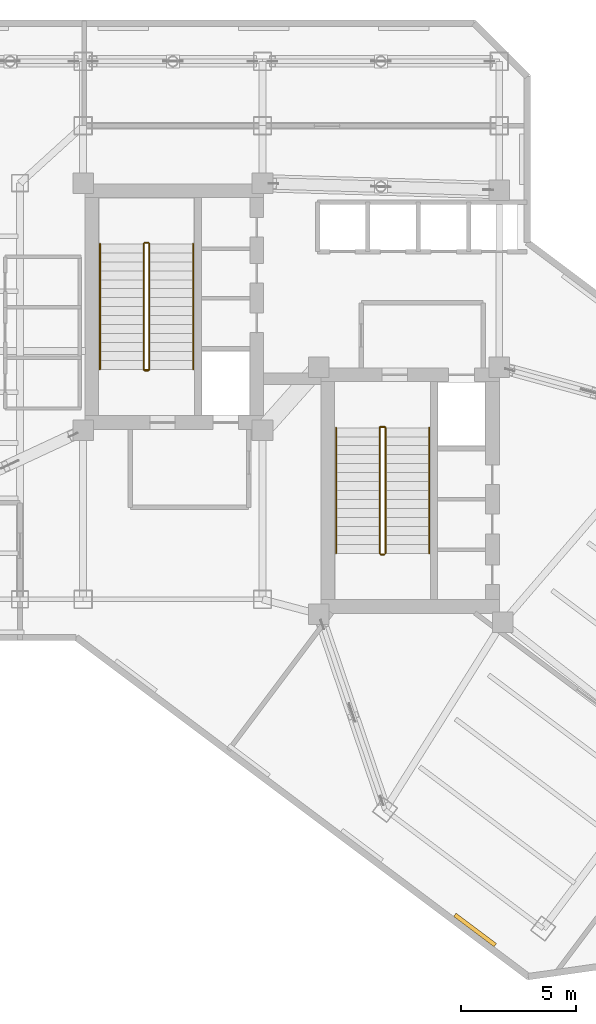
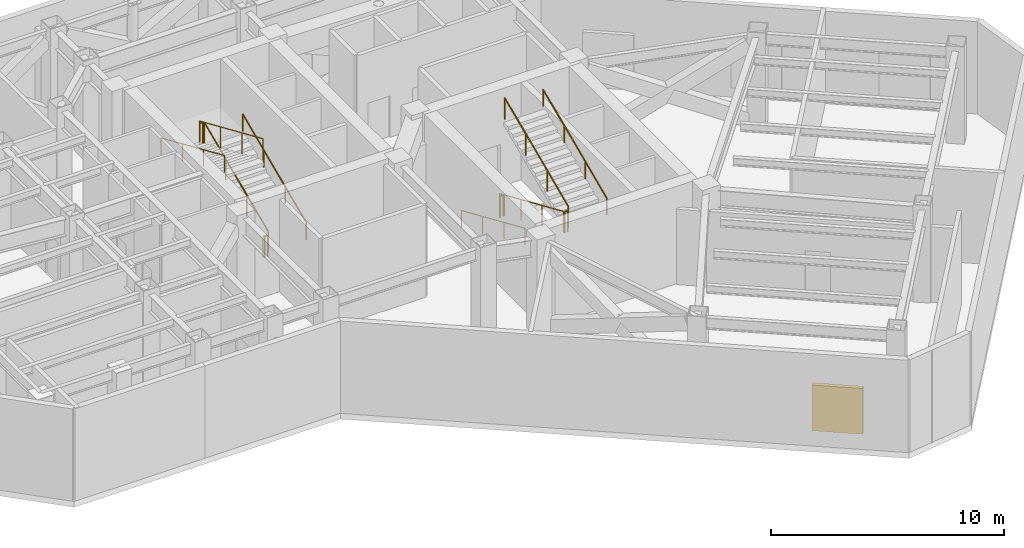
# One storey, part 11 of 12: 14 railings, 1 shading device.
"""IFC4 building model written with IfcOpenShell, lengths in metres."""

from ifc_helpers import new_model, si_unit, direction, frame, origin, origin_2d, place, context, subcontext, project, spatial, rectangle, circle, extrude, material, layer, layer_set, type_object, element, save


model = new_model("IFC4")

# Units and contexts
model_context = context("Model", 3, precision=1e-05, world=origin(), true_north=direction((0.0, 1.0)))
body_context = subcontext(model_context, "Body", "Model", "MODEL_VIEW")
ifc_project = project(units=[si_unit("LENGTHUNIT", "METRE"), si_unit("AREAUNIT", "SQUARE_METRE"), si_unit("VOLUMEUNIT", "CUBIC_METRE"), si_unit("PLANEANGLEUNIT", "RADIAN"), si_unit("MASSUNIT", "GRAM", prefix="KILO")], contexts=[model_context])

# Site, building, storey
site_placement = place(None, origin())
site = spatial("IfcSite", under=ifc_project, at=site_placement, CompositionType="ELEMENT")
building_placement = place(site_placement, origin())
building = spatial("IfcBuilding", under=site, at=building_placement, Name="Hatsunagi Terrace Concourse", CompositionType="ELEMENT")
storey_placement = place(building_placement, frame((0.0, 0.0, 181.64990234375)))
storey = spatial("IfcBuildingStorey", under=building, at=storey_placement, Name="L48", CompositionType="ELEMENT", Elevation=181.64990234375)

# Shading device
ifc_material_1 = material(Name="Powder-Coated Aluminium Acoustic Louvre", Category="aluminium")
ifc_layer_1 = layer(ifc_material_1, 0.179931640625)
ifc_layer_set_1 = layer_set([ifc_layer_1], Name="PlantAcousticLouvre_180")
shading_device_type = type_object("IfcShadingDeviceType", Name="PlantAcousticLouvre_180", PredefinedType="JALOUSIE", material=ifc_layer_set_1)
shading_device_placement = place(storey_placement, frame((42.596923828125, 10.81494140625, 0.60009765625), z_axis=(0.0, 0.0, 1.0), x_axis=(-0.800005211305, 0.599993051531, 0.0)))
element("IfcShadingDevice", 1, at=shading_device_placement, inside=storey, type_object=shading_device_type, Name="Plant Acoustic Louvre L48-05-1", PredefinedType="JALOUSIE", context=body_context, shape_type="SweptSolid", body=[
    extrude(rectangle(XDim=2.199951171875, YDim=0.179931640625, at=origin_2d()), origin(), (0.0, 0.0, 1.0), 2.39990234375),
])

# Railings
ifc_material_2 = material(Name="Stainless steel", Category="steel")
ifc_layer_2 = layer(ifc_material_2, 0.044921875)
ifc_layer_set_2 = layer_set([ifc_layer_2], Name="StairPitchHandrail_Tower2000")
railing_type_1 = type_object("IfcRailingType", Name="StairPitchHandrail_Tower2000", PredefinedType="HANDRAIL", material=ifc_layer_set_2)
railing_1_placement = place(storey_placement, frame((30.330078125, 35.199951171875, 0.170166015625)))
element("IfcRailing", 2, at=railing_1_placement, inside=storey, type_object=railing_type_1, Name="L48 ST-A stair handrail 1", PredefinedType="HANDRAIL", context=body_context, shape_type="SweptSolid", body=[
    extrude(circle(Radius=0.02392578125, at=origin_2d()), frame((0.0, 0.0, 0.8759765625), z_axis=(0.0, 0.916702124435, 0.39957128908), x_axis=(-1.0, 0.0, 0.0)), (0.0, 0.0, 1.0), 5.9560546875),
    extrude(circle(Radius=0.02099609375, at=origin_2d()), origin(), (0.0, 0.0, 1.0), 0.851806640625),
    extrude(circle(Radius=0.02099609375, at=origin_2d()), frame((0.0, 1.820068359375, 0.793212890625)), (0.0, 0.0, 1.0), 0.851806640625),
    extrude(circle(Radius=0.02099609375, at=origin_2d()), frame((0.0, 3.639892578125, 1.586669921875)), (0.0, 0.0, 1.0), 0.851806640625),
    extrude(circle(Radius=0.02099609375, at=origin_2d()), frame((0.0, 5.4599609375, 2.3798828125)), (0.0, 0.0, 1.0), 0.851806640625),
])
for number, where, name in (
    (3, (26.280029296875, 40.659912109375, 2.72021484375), "L48 ST-A stair handrail 2"),
    (4, (36.550048828125, 32.659912109375, 0.170166015625), "L48 ST-B stair handrail 1"),
):
    element("IfcRailing", number, at=place(storey_placement, frame(where)), inside=storey, type_object=railing_type_1, Name=name, PredefinedType="HANDRAIL", context=body_context, shape_type="SweptSolid", body=[
        extrude(circle(Radius=0.02392578125, at=origin_2d()), frame((0.0, 0.0, 0.8759765625), z_axis=(0.0, -0.916702124435, 0.39957128908), x_axis=(1.0, 0.0, 0.0)), (0.0, 0.0, 1.0), 5.9560546875),
        extrude(circle(Radius=0.02099609375, at=origin_2d()), origin(), (0.0, 0.0, 1.0), 0.851806640625),
        extrude(circle(Radius=0.02099609375, at=origin_2d()), frame((0.0, -1.820068359375, 0.793212890625)), (0.0, 0.0, 1.0), 0.851806640625),
        extrude(circle(Radius=0.02099609375, at=origin_2d()), frame((0.0, -3.639892578125, 1.586669921875)), (0.0, 0.0, 1.0), 0.851806640625),
        extrude(circle(Radius=0.02099609375, at=origin_2d()), frame((0.0, -5.4599609375, 2.3798828125)), (0.0, 0.0, 1.0), 0.851806640625),
    ])
railing_2_placement = place(storey_placement, frame((40.60009765625, 27.199951171875, 2.72021484375)))
element("IfcRailing", 5, at=railing_2_placement, inside=storey, type_object=railing_type_1, Name="L48 ST-B stair handrail 2", PredefinedType="HANDRAIL", context=body_context, shape_type="SweptSolid", body=[
    extrude(circle(Radius=0.02392578125, at=origin_2d()), frame((0.0, 0.0, 0.8759765625), z_axis=(0.0, 0.916702124435, 0.39957128908), x_axis=(-1.0, 0.0, 0.0)), (0.0, 0.0, 1.0), 5.9560546875),
    extrude(circle(Radius=0.02099609375, at=origin_2d()), origin(), (0.0, 0.0, 1.0), 0.851806640625),
    extrude(circle(Radius=0.02099609375, at=origin_2d()), frame((0.0, 1.820068359375, 0.793212890625)), (0.0, 0.0, 1.0), 0.851806640625),
    extrude(circle(Radius=0.02099609375, at=origin_2d()), frame((0.0, 3.639892578125, 1.586669921875)), (0.0, 0.0, 1.0), 0.851806640625),
    extrude(circle(Radius=0.02099609375, at=origin_2d()), frame((0.0, 5.4599609375, 2.3798828125)), (0.0, 0.0, 1.0), 0.851806640625),
])
ifc_material_3 = material(Name="Stainless steel", Category="steel")
ifc_layer_3 = layer(ifc_material_3, 0.06005859375)
ifc_layer_set_3 = layer_set([ifc_layer_3], Name="StairWellGuard_Tower2000")
railing_type_2 = type_object("IfcRailingType", Name="StairWellGuard_Tower2000", PredefinedType="BALUSTRADE", material=ifc_layer_set_3)
railing_3_placement = place(storey_placement, frame((28.429931640625, 35.199951171875, 0.170166015625)))
element("IfcRailing", 6, at=railing_3_placement, inside=storey, type_object=railing_type_2, Name="L48 ST-A stair guard 1", PredefinedType="BALUSTRADE", context=body_context, shape_type="SweptSolid", body=[
    extrude(circle(Radius=0.02392578125, at=origin_2d()), frame((0.0, 0.0, 1.09619140625), z_axis=(0.0, 0.916702124435, 0.39957128908), x_axis=(-1.0, 0.0, 0.0)), (0.0, 0.0, 1.0), 5.9560546875),
    extrude(circle(Radius=0.02099609375, at=origin_2d()), origin(), (0.0, 0.0, 1.0), 1.072021484375),
    extrude(circle(Radius=0.02099609375, at=origin_2d()), frame((0.0, 1.820068359375, 0.793212890625)), (0.0, 0.0, 1.0), 1.072021484375),
    extrude(circle(Radius=0.02099609375, at=origin_2d()), frame((0.0, 3.639892578125, 1.586669921875)), (0.0, 0.0, 1.0), 1.072021484375),
    extrude(circle(Radius=0.02099609375, at=origin_2d()), frame((0.0, 5.4599609375, 2.3798828125)), (0.0, 0.0, 1.0), 1.072021484375),
])
railing_4_placement = place(storey_placement, frame((28.3798828125, 40.7099609375, 2.550048828125)))
element("IfcRailing", 7, at=railing_4_placement, inside=storey, type_object=railing_type_2, Name="L48 ST-A stair guard 2", PredefinedType="BALUSTRADE", context=body_context, shape_type="SweptSolid", body=[
    extrude(circle(Radius=0.02392578125, at=origin_2d()), frame((0.0, 0.0, 1.09619140625), z_axis=(-1.0, 0.0, 0.0), x_axis=(0.0, -1.0, 0.0)), (0.0, 0.0, 1.0), 0.14990234375),
    extrude(circle(Radius=0.02099609375, at=origin_2d()), origin(), (0.0, 0.0, 1.0), 1.072021484375),
    extrude(circle(Radius=0.02099609375, at=origin_2d()), frame((-0.14990234375, 0.0, 0.0)), (0.0, 0.0, 1.0), 1.072021484375),
])
railing_5_placement = place(storey_placement, frame((28.179931640625, 40.659912109375, 2.72021484375)))
element("IfcRailing", 8, at=railing_5_placement, inside=storey, type_object=railing_type_2, Name="L48 ST-A stair guard 3", PredefinedType="BALUSTRADE", context=body_context, shape_type="SweptSolid", body=[
    extrude(circle(Radius=0.02392578125, at=origin_2d()), frame((0.0, 0.0, 1.09619140625), z_axis=(0.0, -0.916702124435, 0.39957128908), x_axis=(1.0, 0.0, 0.0)), (0.0, 0.0, 1.0), 5.9560546875),
    extrude(circle(Radius=0.02099609375, at=origin_2d()), origin(), (0.0, 0.0, 1.0), 1.072021484375),
    extrude(circle(Radius=0.02099609375, at=origin_2d()), frame((0.0, -1.820068359375, 0.793212890625)), (0.0, 0.0, 1.0), 1.072021484375),
    extrude(circle(Radius=0.02099609375, at=origin_2d()), frame((0.0, -3.639892578125, 1.586669921875)), (0.0, 0.0, 1.0), 1.072021484375),
    extrude(circle(Radius=0.02099609375, at=origin_2d()), frame((0.0, -5.4599609375, 2.3798828125)), (0.0, 0.0, 1.0), 1.072021484375),
])
railing_6_placement = place(storey_placement, frame((28.3798828125, 35.14990234375, 0.0)))
element("IfcRailing", 9, at=railing_6_placement, inside=storey, type_object=railing_type_2, Name="L48 ST-A stair guard 4", PredefinedType="BALUSTRADE", context=body_context, shape_type="SweptSolid", body=[
    extrude(circle(Radius=0.02392578125, at=origin_2d()), frame((0.0, 0.0, 1.09619140625), z_axis=(-1.0, 0.0, 0.0), x_axis=(0.0, -1.0, 0.0)), (0.0, 0.0, 1.0), 0.14990234375),
    extrude(circle(Radius=0.02099609375, at=origin_2d()), origin(), (0.0, 0.0, 1.0), 1.072021484375),
    extrude(circle(Radius=0.02099609375, at=origin_2d()), frame((-0.14990234375, 0.0, 0.0)), (0.0, 0.0, 1.0), 1.072021484375),
])
railing_7_placement = place(storey_placement, frame((38.449951171875, 32.659912109375, 0.170166015625)))
element("IfcRailing", 10, at=railing_7_placement, inside=storey, type_object=railing_type_2, Name="L48 ST-B stair guard 1", PredefinedType="BALUSTRADE", context=body_context, shape_type="SweptSolid", body=[
    extrude(circle(Radius=0.02392578125, at=origin_2d()), frame((0.0, 0.0, 1.09619140625), z_axis=(0.0, -0.916702124435, 0.39957128908), x_axis=(1.0, 0.0, 0.0)), (0.0, 0.0, 1.0), 5.9560546875),
    extrude(circle(Radius=0.02099609375, at=origin_2d()), origin(), (0.0, 0.0, 1.0), 1.072021484375),
    extrude(circle(Radius=0.02099609375, at=origin_2d()), frame((0.0, -1.820068359375, 0.793212890625)), (0.0, 0.0, 1.0), 1.072021484375),
    extrude(circle(Radius=0.02099609375, at=origin_2d()), frame((0.0, -3.639892578125, 1.586669921875)), (0.0, 0.0, 1.0), 1.072021484375),
    extrude(circle(Radius=0.02099609375, at=origin_2d()), frame((0.0, -5.4599609375, 2.3798828125)), (0.0, 0.0, 1.0), 1.072021484375),
])
railing_8_placement = place(storey_placement, frame((38.5, 27.14990234375, 2.550048828125)))
element("IfcRailing", 11, at=railing_8_placement, inside=storey, type_object=railing_type_2, Name="L48 ST-B stair guard 2", PredefinedType="BALUSTRADE", context=body_context, shape_type="SweptSolid", body=[
    extrude(circle(Radius=0.02392578125, at=origin_2d()), frame((0.0, 0.0, 1.09619140625), z_axis=(1.0, 0.0, 0.0), x_axis=(0.0, 1.0, 0.0)), (0.0, 0.0, 1.0), 0.14990234375),
    extrude(circle(Radius=0.02099609375, at=origin_2d()), origin(), (0.0, 0.0, 1.0), 1.072021484375),
    extrude(circle(Radius=0.02099609375, at=origin_2d()), frame((0.14990234375, 0.0, 0.0)), (0.0, 0.0, 1.0), 1.072021484375),
])
railing_9_placement = place(storey_placement, frame((38.699951171875, 27.199951171875, 2.72021484375)))
element("IfcRailing", 12, at=railing_9_placement, inside=storey, type_object=railing_type_2, Name="L48 ST-B stair guard 3", PredefinedType="BALUSTRADE", context=body_context, shape_type="SweptSolid", body=[
    extrude(circle(Radius=0.02392578125, at=origin_2d()), frame((0.0, 0.0, 1.09619140625), z_axis=(0.0, 0.916702124435, 0.39957128908), x_axis=(-1.0, 0.0, 0.0)), (0.0, 0.0, 1.0), 5.9560546875),
    extrude(circle(Radius=0.02099609375, at=origin_2d()), origin(), (0.0, 0.0, 1.0), 1.072021484375),
    extrude(circle(Radius=0.02099609375, at=origin_2d()), frame((0.0, 1.820068359375, 0.793212890625)), (0.0, 0.0, 1.0), 1.072021484375),
    extrude(circle(Radius=0.02099609375, at=origin_2d()), frame((0.0, 3.639892578125, 1.586669921875)), (0.0, 0.0, 1.0), 1.072021484375),
    extrude(circle(Radius=0.02099609375, at=origin_2d()), frame((0.0, 5.4599609375, 2.3798828125)), (0.0, 0.0, 1.0), 1.072021484375),
])
railing_10_placement = place(storey_placement, frame((38.5, 32.7099609375, 0.0)))
element("IfcRailing", 13, at=railing_10_placement, inside=storey, type_object=railing_type_2, Name="L48 ST-B stair guard 4", PredefinedType="BALUSTRADE", context=body_context, shape_type="SweptSolid", body=[
    extrude(circle(Radius=0.02392578125, at=origin_2d()), frame((0.0, 0.0, 1.09619140625), z_axis=(1.0, 0.0, 0.0), x_axis=(0.0, 1.0, 0.0)), (0.0, 0.0, 1.0), 0.14990234375),
    extrude(circle(Radius=0.02099609375, at=origin_2d()), origin(), (0.0, 0.0, 1.0), 1.072021484375),
    extrude(circle(Radius=0.02099609375, at=origin_2d()), frame((0.14990234375, 0.0, 0.0)), (0.0, 0.0, 1.0), 1.072021484375),
])
ifc_material_4 = material(Name="Stainless Steel SUS316 Post-and-Rail Guard", Category="steel")
ifc_layer_4 = layer(ifc_material_4, 0.080078125)
ifc_layer_set_4 = layer_set([ifc_layer_4], Name="TerracePlantedGuardRail_1200")
railing_type_3 = type_object("IfcRailingType", Name="TerracePlantedGuardRail_1200", PredefinedType="GUARDRAIL", material=ifc_layer_set_4)
for number, where, name in (
    (14, (28.179931640625, 35.179931640625, 0.0), "Stair ST-A Well Closure Guard L48"),
    (15, (38.449951171875, 32.679931640625, 0.0), "Stair ST-B Well Closure Guard L48"),
):
    element("IfcRailing", number, at=place(storey_placement, frame(where)), inside=storey, type_object=railing_type_3, Name=name, PredefinedType="GUARDRAIL", context=body_context, shape_type="SweptSolid", body=[
        extrude(circle(Radius=0.02392578125, at=origin_2d()), frame((0.0, 0.0, 1.09619140625), z_axis=(1.0, 0.0, 0.0), x_axis=(0.0, 1.0, 0.0)), (0.0, 0.0, 1.0), 0.25),
        extrude(circle(Radius=0.02099609375, at=origin_2d()), origin(), (0.0, 0.0, 1.0), 1.072021484375),
        extrude(circle(Radius=0.02099609375, at=origin_2d()), frame((0.25, 0.0, 0.0)), (0.0, 0.0, 1.0), 1.072021484375),
    ])

save(model, "model.ifc")
